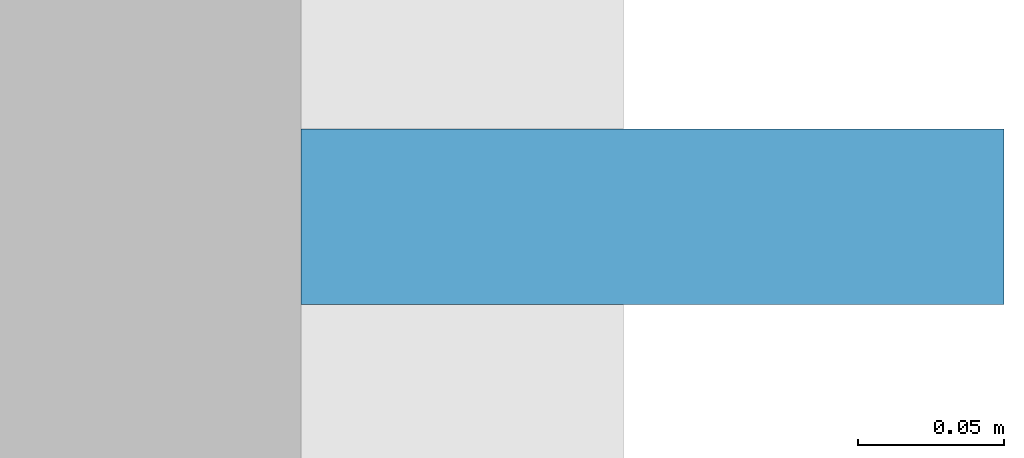
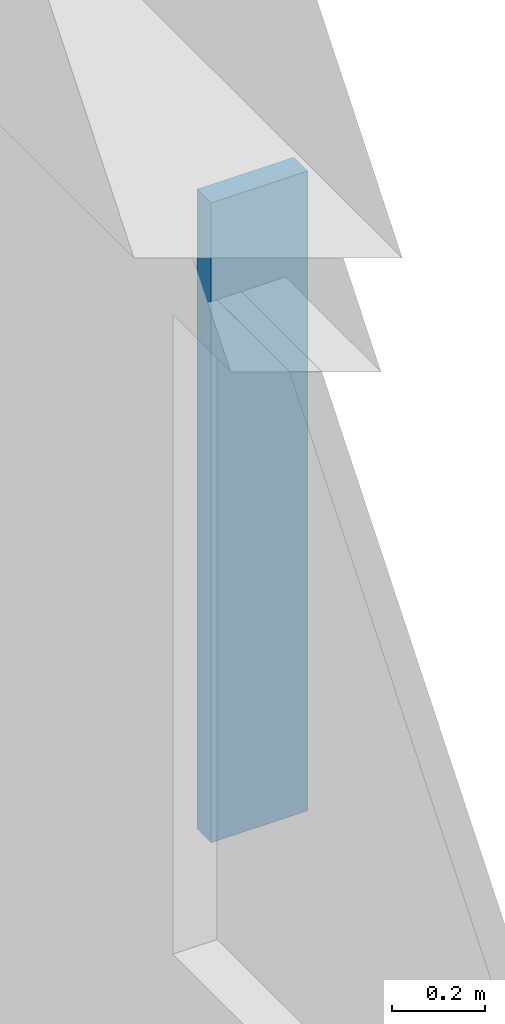
# One storey, part 4 of 10: 1 plate.
"""IFC4 building model written with IfcOpenShell, lengths in metres."""

from ifc_helpers import new_model, si_unit, direction, frame, origin, origin_2d, place, context, subcontext, project, spatial, rectangle, extrude, material, type_object, element, save


model = new_model("IFC4")

# Units and contexts
model_context = context("Model", 3, precision=1e-05, world=origin(), true_north=direction((0.0, 1.0)))
body_context = subcontext(model_context, "Body", "Model", "MODEL_VIEW")
ifc_project = project(units=[si_unit("LENGTHUNIT", "METRE"), si_unit("AREAUNIT", "SQUARE_METRE"), si_unit("VOLUMEUNIT", "CUBIC_METRE"), si_unit("PLANEANGLEUNIT", "RADIAN"), si_unit("MASSUNIT", "GRAM", prefix="KILO")], contexts=[model_context])

# Site, building, storey
site_placement = place(None, origin())
site = spatial("IfcSite", under=ifc_project, at=site_placement, CompositionType="ELEMENT")
building_placement = place(site_placement, origin())
building = spatial("IfcBuilding", under=site, at=building_placement, Name="Nhamokura Convention Tower", CompositionType="ELEMENT")
storey_placement = place(building_placement, frame((0.0, 0.0, 262.14990234375)))
storey = spatial("IfcBuildingStorey", under=building, at=storey_placement, Name="L64", CompositionType="ELEMENT", Elevation=262.14990234375)

# Plate
ifc_material = material(Name="Anodised bronze aluminium AA6063-T6", Category="aluminium")
plate_type = type_object("IfcPlateType", Name="BronzeSolarFin_3", PredefinedType="USERDEFINED", material=ifc_material)
plate_placement = place(storey_placement, frame((54.760009765625, 30.85009765625, 0.85009765625), z_axis=(0.0, 0.0, 1.0), x_axis=(1.0, 0.0, 0.0)))
element("IfcPlate", 1, at=plate_placement, inside=storey, type_object=plate_type, Name="L64 Bronze Solar Shading Fin EAST 2", ObjectType="SOLAR_FIN", PredefinedType="USERDEFINED", context=body_context, shape_type="SweptSolid", body=[
    extrude(rectangle(XDim=0.239990234375, YDim=0.06005859375, at=origin_2d()), origin(), (0.0, 0.0, 1.0), 1.679931640625),
])

save(model, "model.ifc")
